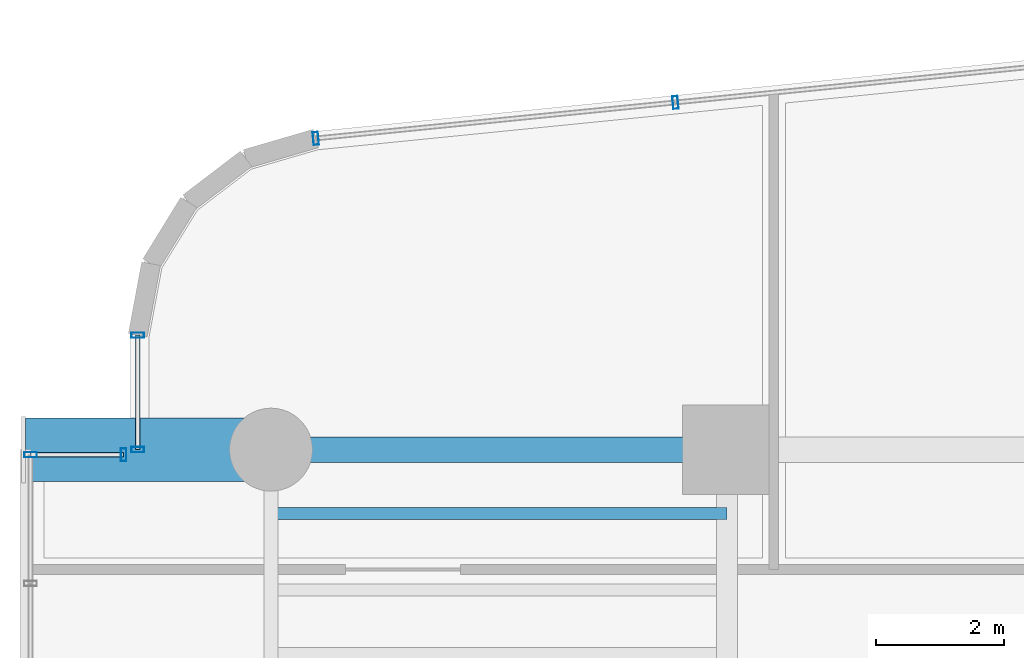
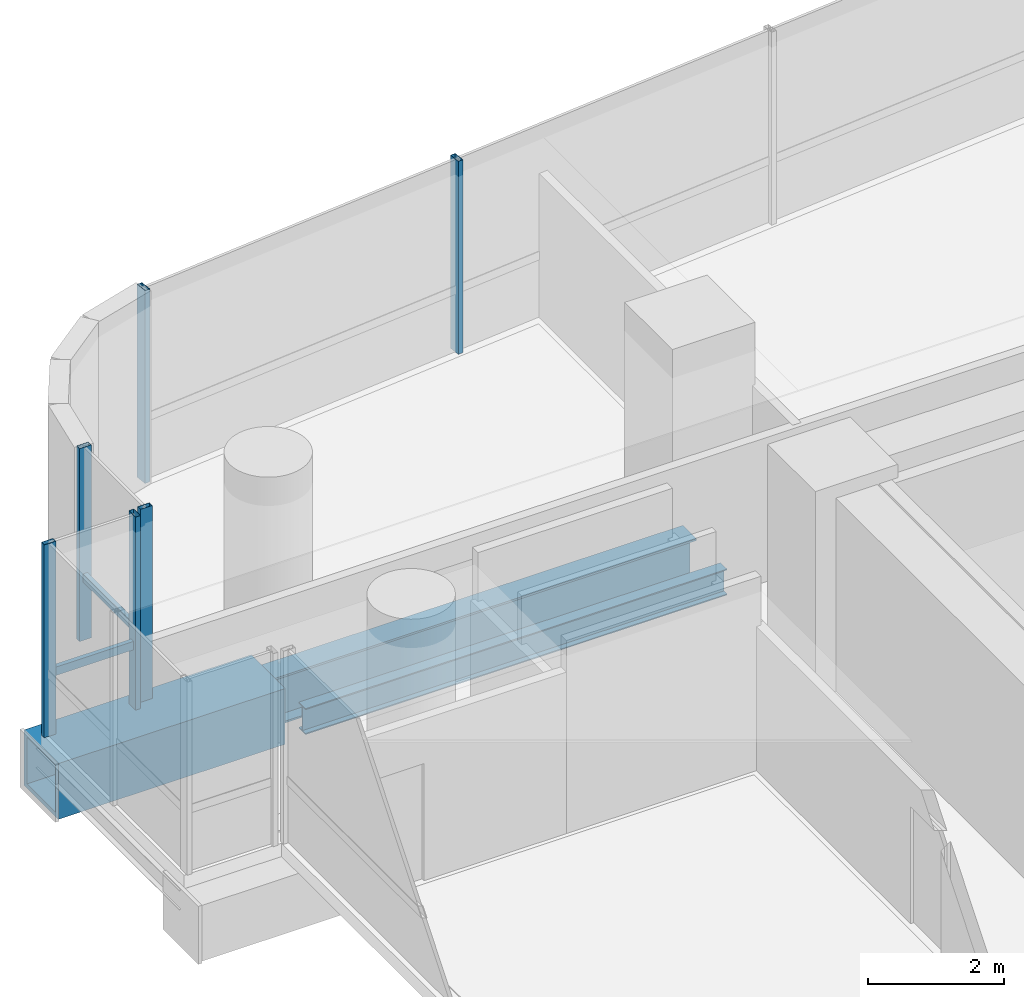
# One storey, part 19 of 40: 8 members, 3 beams, 4 elements without a shape of their own.
"""IFC4 building model written with IfcOpenShell, lengths in metres."""

import ifcopenshell
import ifcopenshell.guid

model = None  # the IFC model being written
_history = None  # IfcOwnerHistory: only IFC2X3 demands one
_inside = {}  # id of a spatial element -> (the spatial element, [elements in it])
_under = {}  # id of a project, library or spatial element -> (it, [spatial elements below it])
_declared = {}  # id of a project -> (the project, [libraries it declares])
_typed = {}  # id of a type object -> (the type object, [elements of that type])
_made_of = {}  # id of a material, layer set ... -> (it, [elements and type objects made of it])


def new_model(schema):
    """Start an empty IFC model of exactly this schema.

    Asked for "IFC4X3", IfcOpenShell would pick the latest addendum, in which some entities
    have other attributes; the version numbers below select the first issue.
    IFC2X3 requires an IfcOwnerHistory on every rooted entity: one is made here for all.
    """
    global model, _history
    if schema == "IFC4X3":
        model = ifcopenshell.file(schema_version=(4, 3, 0, 0))
    else:
        model = ifcopenshell.file(schema=schema)
    _inside.clear()
    _under.clear()
    _declared.clear()
    _typed.clear()
    _made_of.clear()
    _history = None
    if model.schema == "IFC2X3":
        org = make("IfcOrganization", Name="unknown")
        user = make(
            "IfcPersonAndOrganization",
            ThePerson=make("IfcPerson", FamilyName="unknown"),
            TheOrganization=org,
        )
        app = make(
            "IfcApplication",
            ApplicationDeveloper=org,
            Version="unknown",
            ApplicationFullName="unknown",
            ApplicationIdentifier="unknown",
        )
        _history = make(
            "IfcOwnerHistory",
            OwningUser=user,
            OwningApplication=app,
            ChangeAction="ADDED",
            CreationDate=0,
        )
    return model


def make(cls, **values):
    """One entity of the class cls with the attributes given. An attribute that is None is left unset."""
    return model.create_entity(
        cls, **{name: value for name, value in values.items() if value is not None}
    )


def rooted(cls, **values):
    """An entity with a GlobalId (a new one), such as an element, a storey or a relation."""
    return make(cls, GlobalId=ifcopenshell.guid.new(), OwnerHistory=_history, **values)


def si_unit(unit_type, name, prefix=None):
    """IfcSIUnit, for example si_unit("LENGTHUNIT", "METRE", prefix="MILLI")."""
    return make("IfcSIUnit", UnitType=unit_type, Prefix=prefix, Name=name)


def assignment(units):
    """IfcUnitAssignment: the units of a project."""
    return None if units is None else make("IfcUnitAssignment", Units=units)


def point(xyz):
    """IfcCartesianPoint."""
    return None if xyz is None else make("IfcCartesianPoint", Coordinates=xyz)


def direction(xyz):
    """IfcDirection."""
    return None if xyz is None else make("IfcDirection", DirectionRatios=xyz)


def frame(location, z_axis=None, x_axis=None):
    """IfcAxis2Placement3D, a coordinate frame: its origin and axes. An axis left out is left unset."""
    return make(
        "IfcAxis2Placement3D",
        Location=point(location),
        Axis=direction(z_axis),
        RefDirection=direction(x_axis),
    )


def frame_2d(location, x_axis=None):
    """IfcAxis2Placement2D, a coordinate frame in the plane: its origin and x axis."""
    return make(
        "IfcAxis2Placement2D", Location=point(location), RefDirection=direction(x_axis)
    )


def origin():
    """The frame at (0, 0, 0) with its axes left unset."""
    return frame((0.0, 0.0, 0.0))


def origin_2d():
    """The frame at (0, 0) in the plane with its x axis left unset."""
    return frame_2d((0.0, 0.0))


def place(relative_to, where):
    """IfcLocalPlacement: puts the frame where relative to a parent placement (None: the world)."""
    return make(
        "IfcLocalPlacement", PlacementRelTo=relative_to, RelativePlacement=where
    )


def context(
    kind, dimensions, precision=None, world=None, true_north=None, identifier=None
):
    """IfcGeometricRepresentationContext, for example the 3D "Model" context."""
    return make(
        "IfcGeometricRepresentationContext",
        ContextIdentifier=identifier,
        ContextType=kind,
        CoordinateSpaceDimension=dimensions,
        Precision=precision,
        WorldCoordinateSystem=world,
        TrueNorth=true_north,
    )


def subcontext(parent, identifier, kind, view, scale=None):
    """IfcGeometricRepresentationSubContext, for example "Body" below "Model"."""
    return make(
        "IfcGeometricRepresentationSubContext",
        ContextIdentifier=identifier,
        ContextType=kind,
        ParentContext=parent,
        TargetScale=scale,
        TargetView=view,
    )


def project(units=None, contexts=None):
    """IfcProject with its units and contexts."""
    return rooted(
        "IfcProject",
        Name="project",
        RepresentationContexts=contexts,
        UnitsInContext=assignment(units),
    )


def spatial(cls, under=None, at=None, **own):
    """A site, building, storey or space (cls), placed at a placement, below another one or the project."""
    s = rooted(cls, ObjectPlacement=at, **own)
    if under is not None:
        _under.setdefault(under.id(), (under, []))[1].append(s)
    return s


def profile(cls, at=None, kind="AREA", **sizes):
    """A parametric profile (cls). Its sizes go by their IFC names, for example OverallWidth=200.0."""
    return make(cls, ProfileType=kind, Position=at, **sizes)


def hollow_rectangle(**sizes):
    """IfcRectangleHollowProfileDef."""
    return profile("IfcRectangleHollowProfileDef", **sizes)


def i_section(**sizes):
    """IfcIShapeProfileDef."""
    return profile("IfcIShapeProfileDef", **sizes)


def extrude(swept, where, along, depth):
    """IfcExtrudedAreaSolid: the profile swept, set in the frame where, extruded along a direction by depth."""
    return make(
        "IfcExtrudedAreaSolid",
        SweptArea=swept,
        Position=where,
        ExtrudedDirection=direction(along),
        Depth=depth,
    )


def shape(context_of_items, identifier, shape_type, items):
    """IfcShapeRepresentation: the items that make up one representation, for example the "Body"."""
    return make(
        "IfcShapeRepresentation",
        ContextOfItems=context_of_items,
        RepresentationIdentifier=identifier,
        RepresentationType=shape_type,
        Items=items,
    )


def source(mapping_origin, context_of_items, identifier, shape_type, items):
    """IfcRepresentationMap: a shape defined once, which mapped items show again and again."""
    return make(
        "IfcRepresentationMap",
        MappingOrigin=mapping_origin,
        MappedRepresentation=shape(context_of_items, identifier, shape_type, items),
    )


def transform(
    local_origin,
    x_axis=None,
    y_axis=None,
    z_axis=None,
    scale=None,
    scale2=None,
    scale3=None,
    uniform=True,
):
    """IfcCartesianTransformationOperator3D, or its non-uniform kind. x_axis, y_axis, z_axis: its Axis1, 2, 3."""
    if uniform:
        return make(
            "IfcCartesianTransformationOperator3D",
            Axis1=direction(x_axis),
            Axis2=direction(y_axis),
            LocalOrigin=point(local_origin),
            Scale=scale,
            Axis3=direction(z_axis),
        )
    return make(
        "IfcCartesianTransformationOperator3DnonUniform",
        Axis1=direction(x_axis),
        Axis2=direction(y_axis),
        LocalOrigin=point(local_origin),
        Scale=scale,
        Axis3=direction(z_axis),
        Scale2=scale2,
        Scale3=scale3,
    )


def mapped(mapping_source, mapping_target):
    """IfcMappedItem: shows the shape of a source again, moved by a transform."""
    return make(
        "IfcMappedItem", MappingSource=mapping_source, MappingTarget=mapping_target
    )


def material(Name=None, Category=None):
    """IfcMaterial."""
    return make("IfcMaterial", Name=Name, Category=Category)


def material_profile(
    of_material, cross_section, Name=None, Category=None, Priority=None
):
    """IfcMaterialProfile: a cross section and its material."""
    return make(
        "IfcMaterialProfile",
        Name=Name,
        Material=of_material,
        Profile=cross_section,
        Priority=Priority,
        Category=Category,
    )


def profile_set(profiles, Name=None, composite=None):
    """IfcMaterialProfileSet."""
    return make(
        "IfcMaterialProfileSet",
        Name=Name,
        MaterialProfiles=profiles,
        CompositeProfile=composite,
    )


def made_of(thing, what):
    """Note that an element or type object is made of a material, layer set ...; save() writes the relation."""
    if what is not None:
        _made_of.setdefault(what.id(), (what, []))[1].append(thing)
    return thing


def type_object(cls, material=None, **own):
    """A type object (cls), such as IfcWallType, which elements share."""
    return made_of(rooted(cls, **own), material)


def element(
    cls,
    number,
    at=None,
    inside=None,
    cuts=None,
    type_object=None,
    material=None,
    context=None,
    identifier="Body",
    shape_type=None,
    held_by="IfcProductDefinitionShape",
    body=None,
    shapes=None,
    **own,
):
    """One element of the class cls, such as IfcWall. Its Tag is "e" and its number.

    at: its placement. inside: the storey or other place that contains it. cuts: it is an
    opening in that element (IfcRelVoidsElement). A single representation is given by context,
    identifier, shape_type and body (its items); several are given by shapes. held_by: the class
    of the entity that holds the representations. save() writes the other relations.
    """
    e = rooted(cls, Tag="e%d" % number, ObjectPlacement=at, **own)
    if body is not None:
        shapes = [shape(context, identifier, shape_type, body)]
    if shapes is not None:
        e.Representation = make(held_by, Representations=shapes)
    if inside is not None:
        _inside.setdefault(inside.id(), (inside, []))[1].append(e)
    if cuts is not None:
        rooted(
            "IfcRelVoidsElement", RelatingBuildingElement=cuts, RelatedOpeningElement=e
        )
    if type_object is not None:
        _typed.setdefault(type_object.id(), (type_object, []))[1].append(e)
    return made_of(e, material)


def aggregate(whole, parts):
    """IfcRelAggregates: a whole, such as a stair, and the parts it consists of."""
    return rooted("IfcRelAggregates", RelatingObject=whole, RelatedObjects=parts)


def save(model, path):
    """Write the relations noted so far, then the file.

    IfcRelAggregates (storeys below a building ...), IfcRelContainedInSpatialStructure (elements
    in a storey), IfcRelDefinesByType, IfcRelAssociatesMaterial and IfcRelDeclares: one each for
    every whole, place, type object, material and project.
    """
    for whole, parts in _under.values():
        aggregate(whole, parts)
    for where, things in _inside.values():
        rooted(
            "IfcRelContainedInSpatialStructure",
            RelatedElements=things,
            RelatingStructure=where,
        )
    for kind, things in _typed.values():
        rooted("IfcRelDefinesByType", RelatedObjects=things, RelatingType=kind)
    for what, things in _made_of.values():
        rooted("IfcRelAssociatesMaterial", RelatedObjects=things, RelatingMaterial=what)
    for by, libraries in _declared.values():
        rooted("IfcRelDeclares", RelatingContext=by, RelatedDefinitions=libraries)
    model.write(path)


model = new_model("IFC4")

# Units and contexts
model_context = context("Model", 3, precision=1e-05, world=origin(), true_north=direction((0.0, 1.0)))
body_context = subcontext(model_context, "Body", "Model", "MODEL_VIEW")
ifc_project = project(units=[si_unit("LENGTHUNIT", "METRE"), si_unit("AREAUNIT", "SQUARE_METRE"), si_unit("VOLUMEUNIT", "CUBIC_METRE"), si_unit("PLANEANGLEUNIT", "RADIAN"), si_unit("MASSUNIT", "GRAM", prefix="KILO")], contexts=[model_context])

# Site, building, storey
site_placement = place(None, origin())
site = spatial("IfcSite", under=ifc_project, at=site_placement, CompositionType="ELEMENT")
building_placement = place(site_placement, origin())
building = spatial("IfcBuilding", under=site, at=building_placement, Name="Valdorenza Pilgrim Sanctuary Tower", CompositionType="ELEMENT")
storey_placement = place(building_placement, frame((0.0, 0.0, 51.89990234375)))
storey = spatial("IfcBuildingStorey", under=building, at=storey_placement, Name="L12", CompositionType="ELEMENT", Elevation=51.89990234375)

# Beams
ifc_material_1 = material(Name="Steel ASTM A992 Grade 50", Category="steel")
ifc_material_profile_1 = material_profile(ifc_material_1, i_section(OverallWidth=0.193115234375, OverallDepth=0.466064453125, WebThickness=0.011474609375, FlangeThickness=0.01904296875, at=origin_2d()), Name="W18X65")
ifc_profile_set_1 = profile_set([ifc_material_profile_1], Name="Steel ASTM A992 Grade 50")
beam_type_1 = type_object("IfcBeamType", Name="STR-BM-JST-W18A", PredefinedType="JOIST", material=ifc_profile_set_1)
shared_shape_1 = source(origin(), body_context, "Body", "SweptSolid", [
    extrude(i_section(OverallWidth=0.193115234375, OverallDepth=0.466064453125, WebThickness=0.011474609375, FlangeThickness=0.01904296875, at=origin_2d()), origin(), (0.0, 0.0, 1.0), 7.150146484375),
])
beam_1_placement = place(storey_placement, frame((-29.800048828125, 13.800048828125, -0.472900390625), z_axis=(1.0, 0.0, 0.0), x_axis=(0.0, 1.0, 0.0)))
element("IfcBeam", 1, at=beam_1_placement, inside=storey, type_object=beam_type_1, Name="L12 Composite Floor Joist JST-WA-26", PredefinedType="JOIST", context=body_context, shape_type="MappedRepresentation", body=[
    mapped(shared_shape_1, transform((0.0, 0.0, 0.0), x_axis=(1.0, 0.0, 0.0), y_axis=(0.0, 1.0, 0.0), z_axis=(0.0, 0.0, 1.0), scale=1.0)),
])
ifc_material_2 = material(Name="Steel ASTM A572 Grade 42", Category="steel")
ifc_material_profile_2 = material_profile(ifc_material_2, hollow_rectangle(XDim=1.0, YDim=1.0, WallThickness=0.080078125, at=origin_2d()), Name="BOX 1000x1000x80")
ifc_profile_set_2 = profile_set([ifc_material_profile_2], Name="Steel ASTM A572 Grade 42")
beam_type_2 = type_object("IfcBeamType", Name="STR-BM-PROW-CANT", PredefinedType="BEAM", material=ifc_profile_set_2)
shared_shape_2 = source(origin(), body_context, "Body", "SweptSolid", [
    extrude(hollow_rectangle(XDim=1.0, YDim=1.0, WallThickness=0.080078125, at=origin_2d()), origin(), (0.0, 0.0, 1.0), 3.849853515625),
])
beam_2_placement = place(storey_placement, frame((-29.800048828125, 14.800048828125, -0.739990234375), z_axis=(-1.0, 0.0, 0.0), x_axis=(0.0, -1.0, 0.0)))
element("IfcBeam", 2, at=beam_2_placement, inside=storey, type_object=beam_type_2, Name="L12 Glass Box Cantilever Beam BOX-WA-L12-CT-N", PredefinedType="BEAM", context=body_context, shape_type="MappedRepresentation", body=[
    mapped(shared_shape_2, transform((0.0, 0.0, 0.0), x_axis=(1.0, 0.0, 0.0), y_axis=(0.0, 1.0, 0.0), z_axis=(0.0, 0.0, 1.0), scale=1.0)),
])
ifc_material_profile_3 = material_profile(ifc_material_1, i_section(OverallWidth=0.39990234375, OverallDepth=0.862060546875, WebThickness=0.019775390625, FlangeThickness=0.032470703125, at=origin_2d()), Name="W33X221")
ifc_profile_set_3 = profile_set([ifc_material_profile_3], Name="Steel ASTM A992 Grade 50")
beam_type_3 = type_object("IfcBeamType", Name="STR-BM-GRD-W33", PredefinedType="BEAM", material=ifc_profile_set_3)
shared_shape_3 = source(origin(), body_context, "Body", "SweptSolid", [
    extrude(i_section(OverallWidth=0.39990234375, OverallDepth=0.862060546875, WebThickness=0.019775390625, FlangeThickness=0.032470703125, at=origin_2d()), origin(), (0.0, 0.0, 1.0), 7.150146484375),
])
beam_3_placement = place(storey_placement, frame((-29.800048828125, 14.800048828125, -0.6708984375), z_axis=(1.0, 0.0, 0.0), x_axis=(0.0, 1.0, 0.0)))
element("IfcBeam", 3, at=beam_3_placement, inside=storey, type_object=beam_type_3, Name="L12 Floor Girder WA-XW-N2", PredefinedType="BEAM", context=body_context, shape_type="MappedRepresentation", body=[
    mapped(shared_shape_3, transform((0.0, 0.0, 0.0), x_axis=(1.0, 0.0, 0.0), y_axis=(0.0, 1.0, 0.0), z_axis=(0.0, 0.0, 1.0), scale=1.0)),
])

# Curtain wall, member
ifc_material_3 = material(Name="Curtain-wall IGU glazing", Category="glass")
curtain_wall_type = type_object("IfcCurtainWallType", Name="CW-SYS-02", PredefinedType="NOTDEFINED", material=ifc_material_3)
curtain_wall_1_placement = place(storey_placement, origin())
curtain_wall_1 = element("IfcCurtainWall", 4, at=curtain_wall_1_placement, inside=storey, type_object=curtain_wall_type, Name="L12 Curtain Wall CW-L12-BOX-WA-L12-N", PredefinedType="NOTDEFINED")
ifc_material_4 = material(Name="Anodised aluminium AW-6060", Category="aluminium")
ifc_material_profile_4 = material_profile(ifc_material_4, hollow_rectangle(XDim=0.074951171875, YDim=0.14990234375, WallThickness=0.00390625, at=origin_2d()), Name="ALU-T 150x75x4")
ifc_profile_set_4 = profile_set([ifc_material_profile_4], Name="Anodised aluminium AW-6060")
member_type_1 = type_object("IfcMemberType", Name="CW-TRN-02", PredefinedType="USERDEFINED", material=ifc_profile_set_4)
shared_shape_4 = source(origin(), body_context, "Body", "SweptSolid", [
    extrude(hollow_rectangle(XDim=0.074951171875, YDim=0.14990234375, WallThickness=0.00390625, at=origin_2d()), origin(), (0.0, 0.0, 1.0), 1.4599609375),
])
member_1_placement = place(storey_placement, frame((-33.570068359375, 14.719970703125, 1.1201171875), z_axis=(1.0, 0.0, 0.0), x_axis=(0.0, 1.0, 0.0)))
member_1 = element("IfcMember", 5, at=member_1_placement, type_object=member_type_1, Name="CW-L12-BOX-WA-L12-N Transom 1", ObjectType="TRANSOM", PredefinedType="USERDEFINED", context=body_context, shape_type="MappedRepresentation", body=[
    mapped(shared_shape_4, transform((0.0, 0.0, 0.0), x_axis=(1.0, 0.0, 0.0), y_axis=(0.0, 1.0, 0.0), z_axis=(0.0, 0.0, 1.0), scale=1.0)),
])

# Curtain wall, members
curtain_wall_2_placement = place(storey_placement, origin())
curtain_wall_2 = element("IfcCurtainWall", 6, at=curtain_wall_2_placement, inside=storey, type_object=curtain_wall_type, Name="L12 Curtain Wall CW-L12-1-1S2", PredefinedType="NOTDEFINED")
ifc_material_profile_5 = material_profile(ifc_material_4, hollow_rectangle(XDim=0.0849609375, YDim=0.199951171875, WallThickness=0.0048828125, at=origin_2d()), Name="ALU-M 200x85x5")
ifc_profile_set_5 = profile_set([ifc_material_profile_5], Name="Anodised aluminium AW-6060")
member_type_2 = type_object("IfcMemberType", Name="CW-MUL-02", PredefinedType="MULLION", material=ifc_profile_set_5)
shared_shape_5 = source(origin(), body_context, "Body", "SweptSolid", [
    extrude(hollow_rectangle(XDim=0.0849609375, YDim=0.199951171875, WallThickness=0.0048828125, at=origin_2d()), origin(), (0.0, 0.0, 1.0), 3.460205078125),
])
member_2_placement = place(storey_placement, frame((-31.889892578125, 14.800048828125, 0.0), z_axis=(0.0, 0.0, 1.0), x_axis=(0.0, 1.0, 0.0)))
member_2 = element("IfcMember", 7, at=member_2_placement, type_object=member_type_2, Name="CW-L12-1-1S2 Mullion 1", PredefinedType="MULLION", context=body_context, shape_type="MappedRepresentation", body=[
    mapped(shared_shape_5, transform((0.0, 0.0, 0.0), x_axis=(1.0, 0.0, 0.0), y_axis=(0.0, 1.0, 0.0), z_axis=(0.0, 0.0, 1.0), scale=1.0)),
])
member_3_placement = place(storey_placement, frame((-31.889892578125, 16.593994140625, 0.0), z_axis=(0.0, 0.0, 1.0), x_axis=(0.0, 1.0, 0.0)))
member_3 = element("IfcMember", 8, at=member_3_placement, type_object=member_type_2, Name="CW-L12-1-1S2 Mullion 2", PredefinedType="MULLION", context=body_context, shape_type="MappedRepresentation", body=[
    mapped(shared_shape_5, transform((0.0, 0.0, 0.0), x_axis=(1.0, 0.0, 0.0), y_axis=(0.0, 1.0, 0.0), z_axis=(0.0, 0.0, 1.0), scale=1.0)),
])

curtain_wall_3_placement = place(storey_placement, origin())
curtain_wall_3 = element("IfcCurtainWall", 9, at=curtain_wall_3_placement, inside=storey, type_object=curtain_wall_type, Name="L12 Curtain Wall CW-L12-1-6", PredefinedType="NOTDEFINED")
member_4_placement = place(storey_placement, frame((-29.097412109375, 19.6796875, 0.0), z_axis=(0.0, 0.0, 1.0), x_axis=(0.995038220239, 0.099493418189, 0.0)))
member_4 = element("IfcMember", 10, at=member_4_placement, type_object=member_type_2, Name="CW-L12-1-6 Mullion 1", PredefinedType="MULLION", context=body_context, shape_type="MappedRepresentation", body=[
    mapped(shared_shape_5, transform((0.0, 0.0, 0.0), x_axis=(1.0, 0.0, 0.0), y_axis=(0.0, 1.0, 0.0), z_axis=(0.0, 0.0, 1.0), scale=1.0)),
])
member_5_placement = place(storey_placement, frame((-23.458984375, 20.24365234375, 0.0), z_axis=(0.0, 0.0, 1.0), x_axis=(0.995038220239, 0.099493418189, 0.0)))
member_5 = element("IfcMember", 11, at=member_5_placement, type_object=member_type_2, Name="CW-L12-1-6 Mullion 2", PredefinedType="MULLION", context=body_context, shape_type="MappedRepresentation", body=[
    mapped(shared_shape_5, transform((0.0, 0.0, 0.0), x_axis=(1.0, 0.0, 0.0), y_axis=(0.0, 1.0, 0.0), z_axis=(0.0, 0.0, 1.0), scale=1.0)),
])
aggregate(curtain_wall_3, [member_4, member_5])

# Curtain wall, member
curtain_wall_4_placement = place(storey_placement, origin())
curtain_wall_4 = element("IfcCurtainWall", 12, at=curtain_wall_4_placement, inside=storey, type_object=curtain_wall_type, Name="L12 Curtain Wall CW-L12-BOX-WA-L12-F", PredefinedType="NOTDEFINED")
member_6_placement = place(storey_placement, frame((-33.570068359375, 14.719970703125, 0.0), z_axis=(0.0, 0.0, 1.0), x_axis=(0.0, 1.0, 0.0)))
member_6 = element("IfcMember", 13, at=member_6_placement, type_object=member_type_2, Name="CW-L12-BOX-WA-L12-F Mullion 3", PredefinedType="MULLION", context=body_context, shape_type="MappedRepresentation", body=[
    mapped(shared_shape_5, transform((0.0, 0.0, 0.0), x_axis=(1.0, 0.0, 0.0), y_axis=(0.0, 1.0, 0.0), z_axis=(0.0, 0.0, 1.0), scale=1.0)),
])
aggregate(curtain_wall_4, [member_6])

# Member
member_7_placement = place(storey_placement, frame((-32.110107421875, 14.719970703125, 0.0), z_axis=(0.0, 0.0, 1.0), x_axis=(1.0, 0.0, 0.0)))
member_7 = element("IfcMember", 14, at=member_7_placement, type_object=member_type_2, Name="CW-L12-BOX-WA-L12-N Mullion 2", PredefinedType="MULLION", context=body_context, shape_type="MappedRepresentation", body=[
    mapped(shared_shape_5, transform((0.0, 0.0, 0.0), x_axis=(1.0, 0.0, 0.0), y_axis=(0.0, 1.0, 0.0), z_axis=(0.0, 0.0, 1.0), scale=1.0)),
])

aggregate(curtain_wall_1, [member_7, member_1])

shared_shape_6 = source(origin(), body_context, "Body", "SweptSolid", [
    extrude(hollow_rectangle(XDim=0.074951171875, YDim=0.14990234375, WallThickness=0.00390625, at=origin_2d()), origin(), (0.0, 0.0, 1.0), 1.7939453125),
])
member_8_placement = place(storey_placement, frame((-31.889892578125, 14.800048828125, 1.1201171875), z_axis=(0.0, 1.0, 0.0), x_axis=(-1.0, 0.0, 0.0)))
member_8 = element("IfcMember", 15, at=member_8_placement, type_object=member_type_1, Name="CW-L12-1-1S2 Transom 1", ObjectType="TRANSOM", PredefinedType="USERDEFINED", context=body_context, shape_type="MappedRepresentation", body=[
    mapped(shared_shape_6, transform((0.0, 0.0, 0.0), x_axis=(1.0, 0.0, 0.0), y_axis=(0.0, 1.0, 0.0), z_axis=(0.0, 0.0, 1.0), scale=1.0)),
])

aggregate(curtain_wall_2, [member_2, member_3, member_8])

save(model, "model.ifc")
